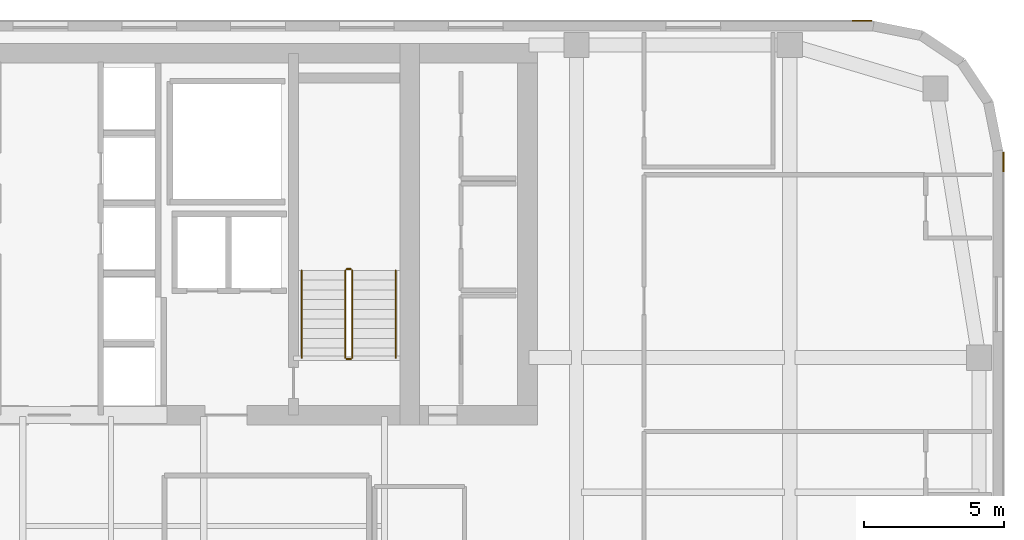
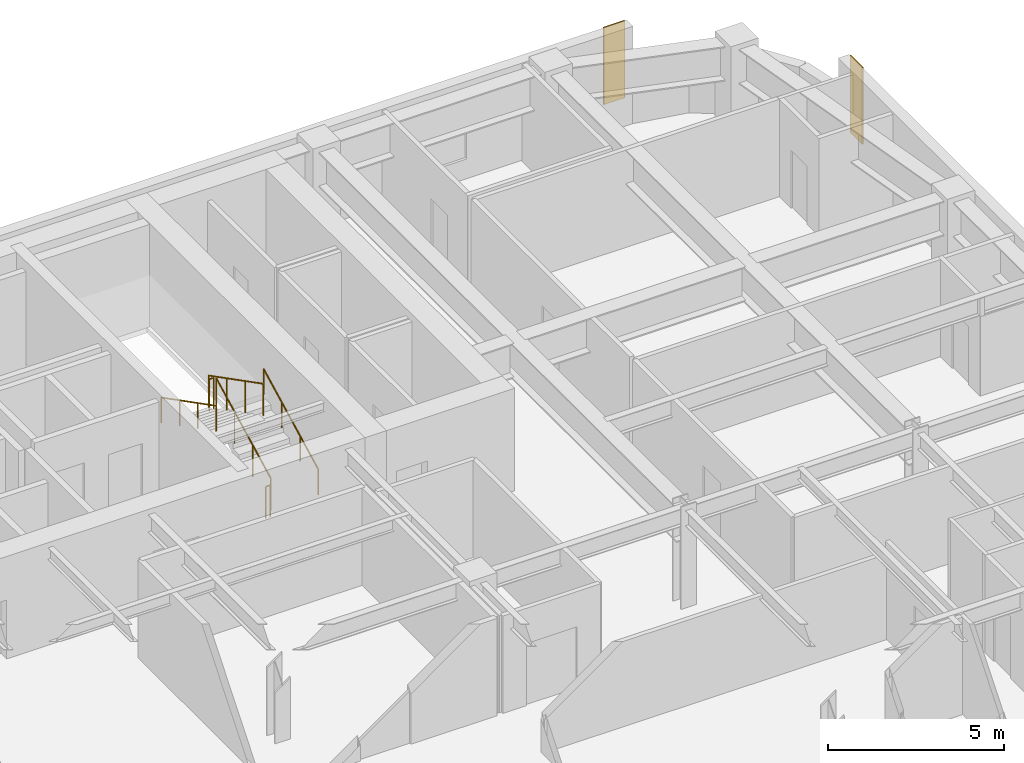
# One storey, part 25 of 25: 6 railings, 2 coverings.
"""IFC4 building model written with IfcOpenShell, lengths in metres."""

from ifc_helpers import new_model, si_unit, direction, frame, origin, origin_2d, place, context, subcontext, project, spatial, polyline, circle, outline, extrude, material, layer, layer_set, type_object, element, save


model = new_model("IFC4")

# Units and contexts
model_context = context("Model", 3, precision=1e-05, world=origin(), true_north=direction((0.0, 1.0)))
body_context = subcontext(model_context, "Body", "Model", "MODEL_VIEW")
ifc_project = project(units=[si_unit("LENGTHUNIT", "METRE"), si_unit("AREAUNIT", "SQUARE_METRE"), si_unit("VOLUMEUNIT", "CUBIC_METRE"), si_unit("PLANEANGLEUNIT", "RADIAN"), si_unit("MASSUNIT", "GRAM", prefix="KILO")], contexts=[model_context])

# Site, building, storey
site_placement = place(None, origin())
site = spatial("IfcSite", under=ifc_project, at=site_placement, CompositionType="ELEMENT")
building_placement = place(site_placement, origin())
building = spatial("IfcBuilding", under=site, at=building_placement, Name="Tolvann Quenvar Hotel", CompositionType="ELEMENT")
storey_placement = place(building_placement, frame((0.0, 0.0, 132.85009765625)))
storey = spatial("IfcBuildingStorey", under=building, at=storey_placement, Name="L34", CompositionType="ELEMENT", Elevation=132.85009765625)

# Coverings
ifc_material_1 = material(Name="Kiln-fired red architectural face brick cladding", Category="masonry")
ifc_layer = layer(ifc_material_1, 0.0400390625)
ifc_layer_set = layer_set([ifc_layer], Name="Kiln-fired red architectural face brick cladding")
covering_type = type_object("IfcCoveringType", Name="COV_CLAD_BRICK_40", PredefinedType="CLADDING", material=ifc_layer_set)
covering_1_placement = place(storey_placement, frame((0.0, 0.0, 0.699951171875)))
element("IfcCovering", 1, at=covering_1_placement, inside=storey, type_object=covering_type, Name="Brick Pier Cladding (L34-E13-P2)", PredefinedType="CLADDING", context=body_context, shape_type="SweptSolid", body=[
    extrude(outline(polyline([(57.0, 40.6328125), (57.0, 41.332763671875), (57.0400390625, 41.332763671875), (57.0400390625, 40.6328125), (57.0, 40.6328125)])), origin(), (0.0, 0.0, 1.0), 2.669921875),
])
covering_2_placement = place(storey_placement, frame((0.0, 0.0, 0.699951171875)))
element("IfcCovering", 2, at=covering_2_placement, inside=storey, type_object=covering_type, Name="Brick Pier Cladding (L34-E18-P1)", PredefinedType="CLADDING", context=body_context, shape_type="SweptSolid", body=[
    extrude(outline(polyline([(52.332763671875, 46.0), (51.6328125, 46.0), (51.6328125, 46.0400390625), (52.332763671875, 46.0400390625), (52.332763671875, 46.0)])), origin(), (0.0, 0.0, 1.0), 2.669921875),
])

# Railings
ifc_material_2 = material(Name="Brushed 316 stainless steel balustrade and handrail", Category="steel")
railing_type_1 = type_object("IfcRailingType", Name="GUARDRAIL", PredefinedType="GUARDRAIL", material=ifc_material_2)
railing_1_placement = place(storey_placement, frame((33.800048828125, 34.0, 0.177490234375)))
element("IfcRailing", 3, at=railing_1_placement, inside=storey, type_object=railing_type_1, Name="L34 ST-C2 stair guard 1", PredefinedType="GUARDRAIL", context=body_context, shape_type="SweptSolid", body=[
    extrude(circle(Radius=0.02392578125, at=origin_2d()), frame((0.0, 0.0, 1.09619140625), z_axis=(0.0, 0.889221982265, 0.45747597342), x_axis=(-1.0, 0.0, 0.0)), (0.0, 0.0, 1.0), 3.49169921875),
    extrude(circle(Radius=0.02099609375, at=origin_2d()), origin(), (0.0, 0.0, 1.0), 1.072021484375),
    extrude(circle(Radius=0.02099609375, at=origin_2d()), frame((0.0, 1.034912109375, 0.532470703125)), (0.0, 0.0, 1.0), 1.072021484375),
    extrude(circle(Radius=0.02099609375, at=origin_2d()), frame((0.0, 2.070068359375, 1.06494140625)), (0.0, 0.0, 1.0), 1.072021484375),
    extrude(circle(Radius=0.02099609375, at=origin_2d()), frame((0.0, 3.10498046875, 1.597412109375)), (0.0, 0.0, 1.0), 1.072021484375),
])
railing_2_placement = place(storey_placement, frame((33.75, 37.155029296875, 1.77490234375)))
element("IfcRailing", 4, at=railing_2_placement, inside=storey, type_object=railing_type_1, Name="L34 ST-C2 stair guard 2", PredefinedType="GUARDRAIL", context=body_context, shape_type="SweptSolid", body=[
    extrude(circle(Radius=0.02392578125, at=origin_2d()), frame((0.0, 0.0, 1.09619140625), z_axis=(-1.0, 0.0, 0.0), x_axis=(0.0, -1.0, 0.0)), (0.0, 0.0, 1.0), 0.14990234375),
    extrude(circle(Radius=0.02099609375, at=origin_2d()), origin(), (0.0, 0.0, 1.0), 1.072021484375),
    extrude(circle(Radius=0.02099609375, at=origin_2d()), frame((-0.14990234375, 0.0, 0.0)), (0.0, 0.0, 1.0), 1.072021484375),
])
railing_3_placement = place(storey_placement, frame((33.550048828125, 37.10498046875, 1.952392578125)))
element("IfcRailing", 5, at=railing_3_placement, inside=storey, type_object=railing_type_1, Name="L34 ST-C2 stair guard 3", PredefinedType="GUARDRAIL", context=body_context, shape_type="SweptSolid", body=[
    extrude(circle(Radius=0.02392578125, at=origin_2d()), frame((0.0, 0.0, 1.09619140625), z_axis=(0.0, -0.889221982265, 0.45747597342), x_axis=(1.0, 0.0, 0.0)), (0.0, 0.0, 1.0), 3.49169921875),
    extrude(circle(Radius=0.02099609375, at=origin_2d()), origin(), (0.0, 0.0, 1.0), 1.072021484375),
    extrude(circle(Radius=0.02099609375, at=origin_2d()), frame((0.0, -1.034912109375, 0.532470703125)), (0.0, 0.0, 1.0), 1.072021484375),
    extrude(circle(Radius=0.02099609375, at=origin_2d()), frame((0.0, -2.070068359375, 1.06494140625)), (0.0, 0.0, 1.0), 1.072021484375),
    extrude(circle(Radius=0.02099609375, at=origin_2d()), frame((0.0, -3.10498046875, 1.597412109375)), (0.0, 0.0, 1.0), 1.072021484375),
])
railing_4_placement = place(storey_placement, frame((33.75, 33.949951171875, 0.0)))
element("IfcRailing", 6, at=railing_4_placement, inside=storey, type_object=railing_type_1, Name="L34 ST-C2 stair guard 4", PredefinedType="GUARDRAIL", context=body_context, shape_type="SweptSolid", body=[
    extrude(circle(Radius=0.02392578125, at=origin_2d()), frame((0.0, 0.0, 1.09619140625), z_axis=(-1.0, 0.0, 0.0), x_axis=(0.0, -1.0, 0.0)), (0.0, 0.0, 1.0), 0.14990234375),
    extrude(circle(Radius=0.02099609375, at=origin_2d()), origin(), (0.0, 0.0, 1.0), 1.072021484375),
    extrude(circle(Radius=0.02099609375, at=origin_2d()), frame((-0.14990234375, 0.0, 0.0)), (0.0, 0.0, 1.0), 1.072021484375),
])
railing_type_2 = type_object("IfcRailingType", Name="HANDRAIL", PredefinedType="HANDRAIL", material=ifc_material_2)
railing_5_placement = place(storey_placement, frame((35.35009765625, 34.0, 0.177490234375)))
element("IfcRailing", 7, at=railing_5_placement, inside=storey, type_object=railing_type_2, Name="L34 ST-C2 stair handrail 1", PredefinedType="HANDRAIL", context=body_context, shape_type="SweptSolid", body=[
    extrude(circle(Radius=0.02392578125, at=origin_2d()), frame((0.0, 0.0, 0.8759765625), z_axis=(0.0, 0.889221982265, 0.45747597342), x_axis=(-1.0, 0.0, 0.0)), (0.0, 0.0, 1.0), 3.49169921875),
    extrude(circle(Radius=0.02099609375, at=origin_2d()), origin(), (0.0, 0.0, 1.0), 0.851806640625),
    extrude(circle(Radius=0.02099609375, at=origin_2d()), frame((0.0, 1.034912109375, 0.532470703125)), (0.0, 0.0, 1.0), 0.851806640625),
    extrude(circle(Radius=0.02099609375, at=origin_2d()), frame((0.0, 2.070068359375, 1.06494140625)), (0.0, 0.0, 1.0), 0.851806640625),
    extrude(circle(Radius=0.02099609375, at=origin_2d()), frame((0.0, 3.10498046875, 1.597412109375)), (0.0, 0.0, 1.0), 0.851806640625),
])
railing_6_placement = place(storey_placement, frame((32.0, 37.10498046875, 1.952392578125)))
element("IfcRailing", 8, at=railing_6_placement, inside=storey, type_object=railing_type_2, Name="L34 ST-C2 stair handrail 2", PredefinedType="HANDRAIL", context=body_context, shape_type="SweptSolid", body=[
    extrude(circle(Radius=0.02392578125, at=origin_2d()), frame((0.0, 0.0, 0.8759765625), z_axis=(0.0, -0.889221982265, 0.45747597342), x_axis=(1.0, 0.0, 0.0)), (0.0, 0.0, 1.0), 3.49169921875),
    extrude(circle(Radius=0.02099609375, at=origin_2d()), origin(), (0.0, 0.0, 1.0), 0.851806640625),
    extrude(circle(Radius=0.02099609375, at=origin_2d()), frame((0.0, -1.034912109375, 0.532470703125)), (0.0, 0.0, 1.0), 0.851806640625),
    extrude(circle(Radius=0.02099609375, at=origin_2d()), frame((0.0, -2.070068359375, 1.06494140625)), (0.0, 0.0, 1.0), 0.851806640625),
    extrude(circle(Radius=0.02099609375, at=origin_2d()), frame((0.0, -3.10498046875, 1.597412109375)), (0.0, 0.0, 1.0), 0.851806640625),
])

save(model, "model.ifc")
